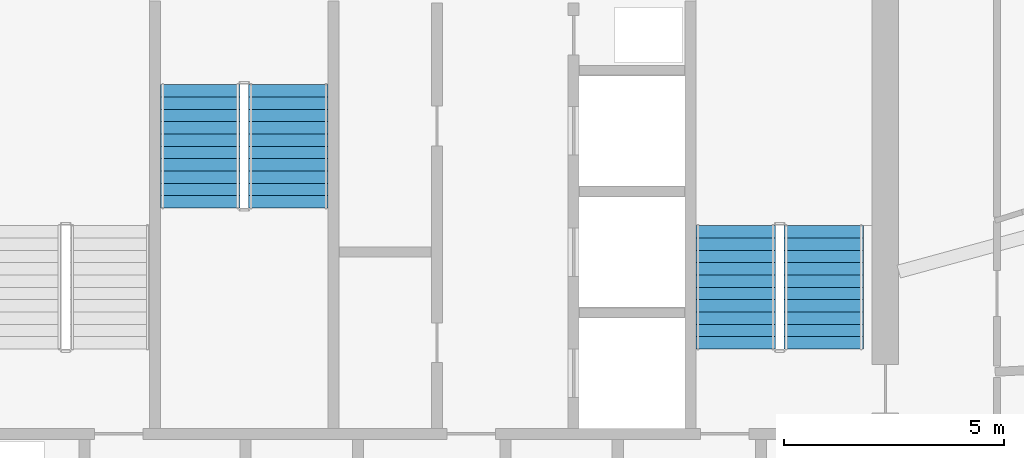
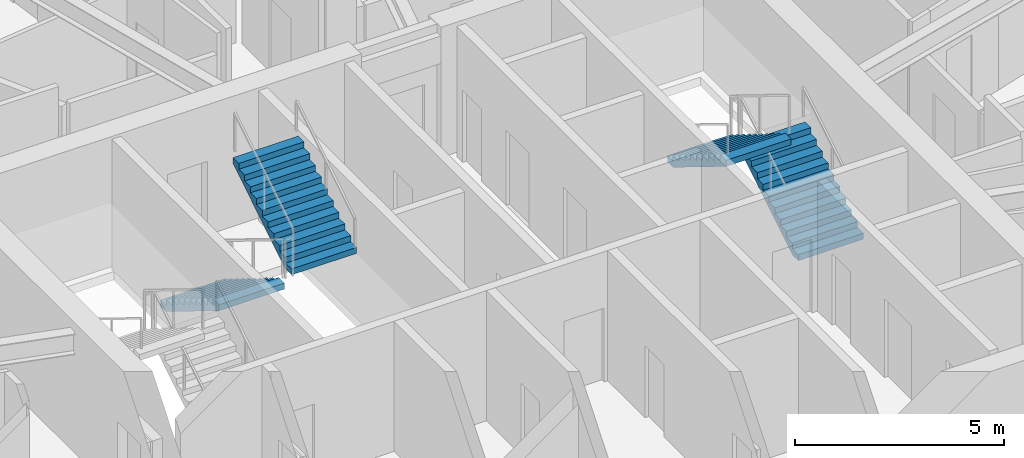
# One storey, part 23 of 26: 4 stair flights, 2 elements without a shape of their own.
"""IFC4 building model written with IfcOpenShell, lengths in metres."""

from ifc_helpers import new_model, si_unit, direction, frame, origin, place, context, subcontext, project, spatial, polyline, outline, extrude, material, type_object, element, aggregate, save


model = new_model("IFC4")

# Units and contexts
model_context = context("Model", 3, precision=1e-05, world=origin(), true_north=direction((0.0, 1.0)))
body_context = subcontext(model_context, "Body", "Model", "MODEL_VIEW")
ifc_project = project(units=[si_unit("LENGTHUNIT", "METRE"), si_unit("AREAUNIT", "SQUARE_METRE"), si_unit("VOLUMEUNIT", "CUBIC_METRE"), si_unit("PLANEANGLEUNIT", "RADIAN"), si_unit("MASSUNIT", "GRAM", prefix="KILO")], contexts=[model_context])

# Site, building, storey
site_placement = place(None, origin())
site = spatial("IfcSite", under=ifc_project, at=site_placement, CompositionType="ELEMENT")
building_placement = place(site_placement, origin())
building = spatial("IfcBuilding", under=site, at=building_placement, Name="Zuhravey Tower", CompositionType="ELEMENT")
storey_placement = place(building_placement, frame((0.0, 0.0, 280.60009765625)))
storey = spatial("IfcBuildingStorey", under=building, at=storey_placement, Name="L71", CompositionType="ELEMENT", Elevation=280.60009765625)

# Stair, stair flights
ifc_material = material(Name="Concrete C40/50", Category="concrete")
stair_type = type_object("IfcStairType", Name="Housing Storey Stair Assembly 3800", PredefinedType="HALF_TURN_STAIR", material=ifc_material)
stair_1_placement = place(storey_placement, origin())
stair_1 = element("IfcStair", 1, at=stair_1_placement, inside=storey, type_object=stair_type, Name="L71 Core Exit Stair ST2", PredefinedType="HALF_TURN_STAIR")
stair_flight_type = type_object("IfcStairFlightType", Name="Housing Storey Stair Flight 3800", PredefinedType="STRAIGHT", material=ifc_material)
stair_flight_1_placement = place(storey_placement, frame((45.10009765625, 33.199951171875, 0.0), z_axis=(0.0, 0.0, 1.0), x_axis=(0.0, 1.0, 0.0)))
stair_flight_1 = element("IfcStairFlight", 2, at=stair_flight_1_placement, type_object=stair_flight_type, Name="ST2 flight 1", NumberOfRisers=11, NumberOfTreads=10, PredefinedType="STRAIGHT", RiserHeight=0.172727273, TreadLength=0.28, context=body_context, shape_type="SweptSolid", body=[
    extrude(outline(polyline([(0.0, 0.0), (0.0, 0.172607421875), (0.280029296875, 0.172607421875), (0.280029296875, 0.345458984375), (0.56005859375, 0.345458984375), (0.56005859375, 0.51806640625), (0.840087890625, 0.51806640625), (0.840087890625, 0.69091796875), (1.1201171875, 0.69091796875), (1.1201171875, 0.863525390625), (1.39990234375, 0.863525390625), (1.39990234375, 1.036376953125), (1.679931640625, 1.036376953125), (1.679931640625, 1.208984375), (1.9599609375, 1.208984375), (1.9599609375, 1.3818359375), (2.239990234375, 1.3818359375), (2.239990234375, 1.554443359375), (2.52001953125, 1.554443359375), (2.52001953125, 1.727294921875), (2.800048828125, 1.727294921875), (2.800048828125, 1.89990234375), (2.800048828125, 1.551025390625), (0.285400390625, 0.0), (0.0, 0.0)])), frame((0.0, 0.89990234375, 0.0), z_axis=(0.0, -1.0, 0.0), x_axis=(1.0, 0.0, 0.0)), (0.0, 0.0, 1.0), 1.800048828125),
])
stair_flight_2_placement = place(storey_placement, frame((43.10009765625, 36.0, 1.89990234375), z_axis=(0.0, 0.0, 1.0), x_axis=(0.0, -1.0, 0.0)))
stair_flight_2 = element("IfcStairFlight", 3, at=stair_flight_2_placement, type_object=stair_flight_type, Name="ST2 flight 2", NumberOfRisers=11, NumberOfTreads=10, PredefinedType="STRAIGHT", RiserHeight=0.172727273, TreadLength=0.28, context=body_context, shape_type="SweptSolid", body=[
    extrude(outline(polyline([(0.0, 0.0), (0.0, 0.172607421875), (0.280029296875, 0.172607421875), (0.280029296875, 0.345458984375), (0.56005859375, 0.345458984375), (0.56005859375, 0.51806640625), (0.840087890625, 0.51806640625), (0.840087890625, 0.69091796875), (1.1201171875, 0.69091796875), (1.1201171875, 0.863525390625), (1.39990234375, 0.863525390625), (1.39990234375, 1.036376953125), (1.679931640625, 1.036376953125), (1.679931640625, 1.208984375), (1.9599609375, 1.208984375), (1.9599609375, 1.3818359375), (2.239990234375, 1.3818359375), (2.239990234375, 1.554443359375), (2.52001953125, 1.554443359375), (2.52001953125, 1.727294921875), (2.800048828125, 1.727294921875), (2.800048828125, 1.89990234375), (2.800048828125, 1.551025390625), (0.285400390625, 0.0), (0.0, 0.0)])), frame((0.0, 0.89990234375, 0.0), z_axis=(0.0, -1.0, 0.0), x_axis=(1.0, 0.0, 0.0)), (0.0, 0.0, 1.0), 1.800048828125),
])
aggregate(stair_1, [stair_flight_1, stair_flight_2])

stair_2_placement = place(storey_placement, origin())
stair_2 = element("IfcStair", 4, at=stair_2_placement, inside=storey, type_object=stair_type, Name="L71 Core Exit Stair ST3", PredefinedType="HALF_TURN_STAIR")
stair_flight_3_placement = place(storey_placement, frame((30.949951171875, 39.199951171875, 0.0), z_axis=(0.0, 0.0, 1.0), x_axis=(0.0, -1.0, 0.0)))
stair_flight_3 = element("IfcStairFlight", 5, at=stair_flight_3_placement, type_object=stair_flight_type, Name="ST3 flight 1", NumberOfRisers=11, NumberOfTreads=10, PredefinedType="STRAIGHT", RiserHeight=0.172727273, TreadLength=0.28, context=body_context, shape_type="SweptSolid", body=[
    extrude(outline(polyline([(0.0, 0.0), (0.0, 0.172607421875), (0.280029296875, 0.172607421875), (0.280029296875, 0.345458984375), (0.56005859375, 0.345458984375), (0.56005859375, 0.51806640625), (0.840087890625, 0.51806640625), (0.840087890625, 0.69091796875), (1.1201171875, 0.69091796875), (1.1201171875, 0.863525390625), (1.39990234375, 0.863525390625), (1.39990234375, 1.036376953125), (1.679931640625, 1.036376953125), (1.679931640625, 1.208984375), (1.9599609375, 1.208984375), (1.9599609375, 1.3818359375), (2.239990234375, 1.3818359375), (2.239990234375, 1.554443359375), (2.52001953125, 1.554443359375), (2.52001953125, 1.727294921875), (2.800048828125, 1.727294921875), (2.800048828125, 1.89990234375), (2.800048828125, 1.551025390625), (0.285400390625, 0.0), (0.0, 0.0)])), frame((0.0, 0.89990234375, 0.0), z_axis=(0.0, -1.0, 0.0), x_axis=(1.0, 0.0, 0.0)), (0.0, 0.0, 1.0), 1.800048828125),
])
stair_flight_4_placement = place(storey_placement, frame((32.949951171875, 36.39990234375, 1.89990234375), z_axis=(0.0, 0.0, 1.0), x_axis=(0.0, 1.0, 0.0)))
stair_flight_4 = element("IfcStairFlight", 6, at=stair_flight_4_placement, type_object=stair_flight_type, Name="ST3 flight 2", NumberOfRisers=11, NumberOfTreads=10, PredefinedType="STRAIGHT", RiserHeight=0.172727273, TreadLength=0.28, context=body_context, shape_type="SweptSolid", body=[
    extrude(outline(polyline([(0.0, 0.0), (0.0, 0.172607421875), (0.280029296875, 0.172607421875), (0.280029296875, 0.345458984375), (0.56005859375, 0.345458984375), (0.56005859375, 0.51806640625), (0.840087890625, 0.51806640625), (0.840087890625, 0.69091796875), (1.1201171875, 0.69091796875), (1.1201171875, 0.863525390625), (1.39990234375, 0.863525390625), (1.39990234375, 1.036376953125), (1.679931640625, 1.036376953125), (1.679931640625, 1.208984375), (1.9599609375, 1.208984375), (1.9599609375, 1.3818359375), (2.239990234375, 1.3818359375), (2.239990234375, 1.554443359375), (2.52001953125, 1.554443359375), (2.52001953125, 1.727294921875), (2.800048828125, 1.727294921875), (2.800048828125, 1.89990234375), (2.800048828125, 1.551025390625), (0.285400390625, 0.0), (0.0, 0.0)])), frame((0.0, 0.89990234375, 0.0), z_axis=(0.0, -1.0, 0.0), x_axis=(1.0, 0.0, 0.0)), (0.0, 0.0, 1.0), 1.800048828125),
])
aggregate(stair_2, [stair_flight_3, stair_flight_4])

save(model, "model.ifc")
